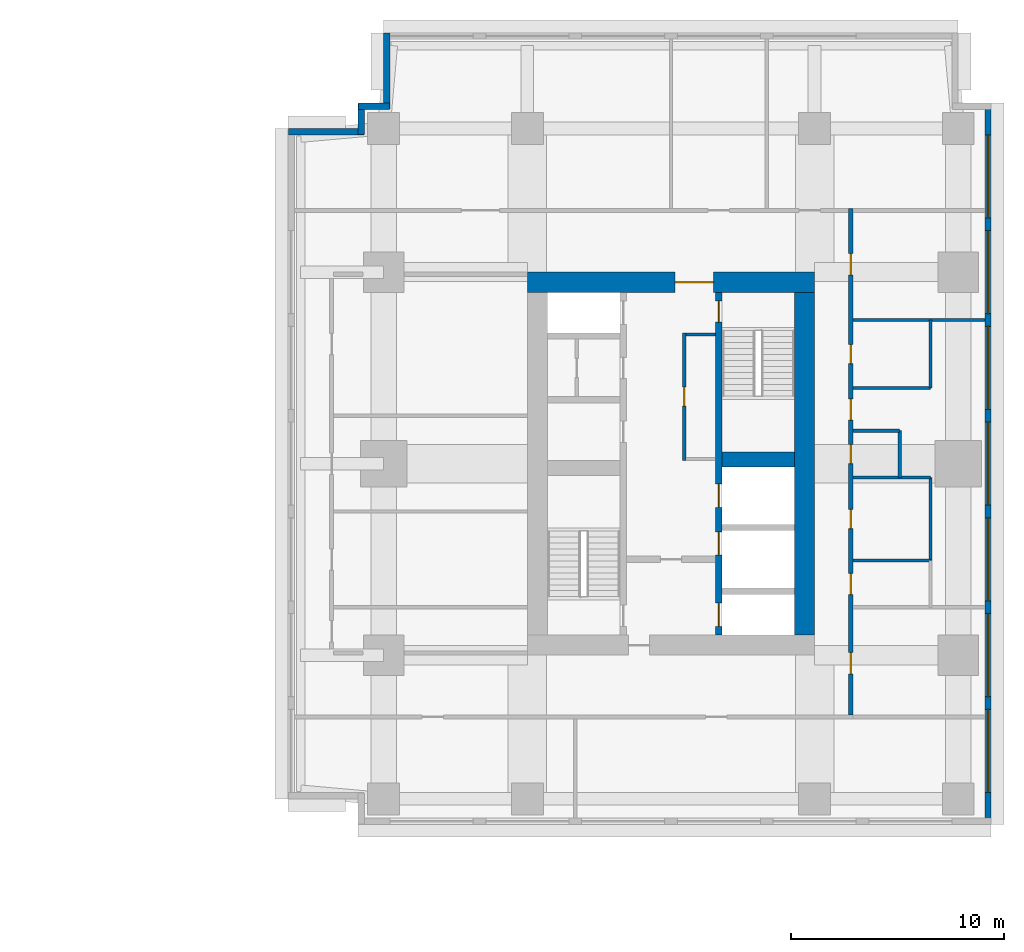
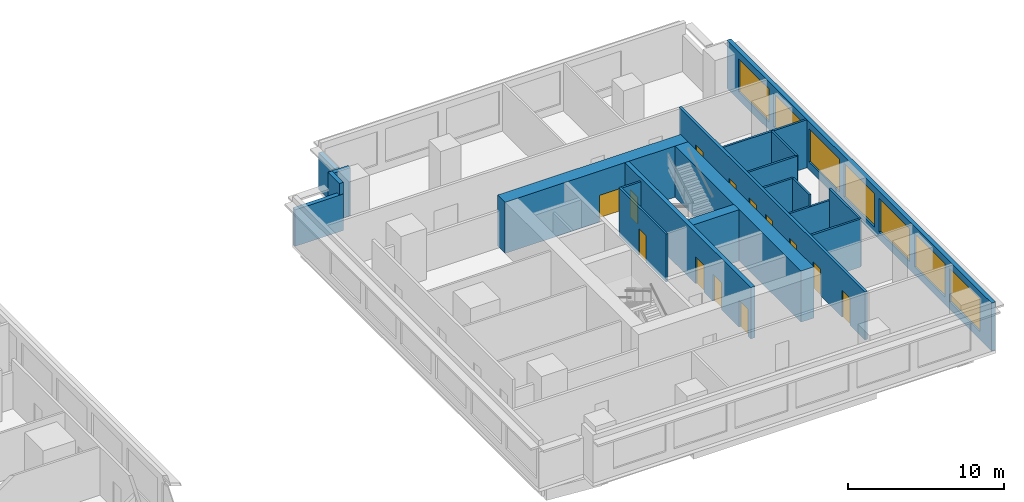
# One storey, part 7 of 10: 20 walls, 13 doors, 7 windows, 20 openings.
"""IFC4 building model written with IfcOpenShell, lengths in metres."""

from ifc_helpers import new_model, si_unit, direction, frame, frame_2d, origin, place, context, subcontext, project, spatial, rectangle, extrude, material, layer, layer_set, type_object, element, fill, save


model = new_model("IFC4")

# Units and contexts
model_context = context("Model", 3, precision=1e-05, world=origin(), true_north=direction((0.0, 1.0)))
body_context = subcontext(model_context, "Body", "Model", "MODEL_VIEW")
ifc_project = project(units=[si_unit("LENGTHUNIT", "METRE"), si_unit("AREAUNIT", "SQUARE_METRE"), si_unit("VOLUMEUNIT", "CUBIC_METRE"), si_unit("PLANEANGLEUNIT", "RADIAN"), si_unit("MASSUNIT", "GRAM", prefix="KILO")], contexts=[model_context])

# Site, building, storey
site_placement = place(None, origin())
site = spatial("IfcSite", under=ifc_project, at=site_placement, CompositionType="ELEMENT")
building_placement = place(site_placement, origin())
building = spatial("IfcBuilding", under=site, at=building_placement, Name="Namib Vertical Campus", CompositionType="ELEMENT")
storey_placement = place(building_placement, frame((0.0, 0.0, 153.0)))
storey = spatial("IfcBuildingStorey", under=building, at=storey_placement, Name="L36", CompositionType="ELEMENT", Elevation=153.0)

# Wall, openings, doors
ifc_material_1 = material(Name="Concrete C60/75", Category="concrete")
ifc_layer_1 = layer(ifc_material_1, 0.300048828125)
ifc_layer_set_1 = layer_set([ifc_layer_1], Name="Concrete C60/75")
wall_type_1 = type_object("IfcWallType", Name="Core inner wall 300", PredefinedType="SHEAR", material=ifc_layer_set_1)
wall_1_placement = place(storey_placement, frame((83.25, 12.199951171875, 0.0), z_axis=(0.0, 0.0, 1.0), x_axis=(0.0, 1.0, 0.0)))
wall_1 = element("IfcWall", 1, at=wall_1_placement, inside=storey, type_object=wall_type_1, Name="Core inner wall B L36 W2", PredefinedType="SHEAR", context=body_context, shape_type="SweptSolid", body=[
    extrude(rectangle(XDim=16.10009765625, YDim=0.300048828125, at=frame_2d((8.050048828125, 0.0))), origin(), (0.0, 0.0, 1.0), 4.0),
])
opening_1_placement = place(wall_1_placement, frame((14.699951171875, 0.0, 0.0)))
opening_1 = element("IfcOpeningElement", 2, at=opening_1_placement, cuts=wall_1, Name="Opening FD1", PredefinedType="OPENING", context=body_context, shape_type="SweptSolid", body=[
    extrude(rectangle(XDim=1.0, YDim=2.10009765625, at=frame_2d((0.5, 1.050048828125))), frame((0.0, 0.159912109375, 0.0), z_axis=(0.0, -1.0, 0.0), x_axis=(1.0, 0.0, 0.0)), (0.0, 0.0, 1.0), 0.320068359375),
])
opening_2_placement = place(wall_1_placement, frame((0.39990234375, 0.0, 0.0)))
opening_2 = element("IfcOpeningElement", 3, at=opening_2_placement, cuts=wall_1, Name="Opening LD1", PredefinedType="OPENING", context=body_context, shape_type="SweptSolid", body=[
    extrude(rectangle(XDim=1.10009765625, YDim=2.10009765625, at=frame_2d((0.550048828125, 1.050048828125))), frame((0.0, 0.159912109375, 0.0), z_axis=(0.0, -1.0, 0.0), x_axis=(1.0, 0.0, 0.0)), (0.0, 0.0, 1.0), 0.320068359375),
])
opening_3_placement = place(wall_1_placement, frame((3.75, 0.0, 0.0)))
opening_3 = element("IfcOpeningElement", 4, at=opening_3_placement, cuts=wall_1, Name="Opening LD1", PredefinedType="OPENING", context=body_context, shape_type="SweptSolid", body=[
    extrude(rectangle(XDim=1.10009765625, YDim=2.10009765625, at=frame_2d((0.550048828125, 1.050048828125))), frame((0.0, 0.159912109375, 0.0), z_axis=(0.0, -1.0, 0.0), x_axis=(1.0, 0.0, 0.0)), (0.0, 0.0, 1.0), 0.320068359375),
])
opening_4_placement = place(wall_1_placement, frame((6.0, 0.0, 0.0)))
opening_4 = element("IfcOpeningElement", 5, at=opening_4_placement, cuts=wall_1, Name="Opening LD1", PredefinedType="OPENING", context=body_context, shape_type="SweptSolid", body=[
    extrude(rectangle(XDim=1.10009765625, YDim=2.10009765625, at=frame_2d((0.550048828125, 1.050048828125))), frame((0.0, 0.159912109375, 0.0), z_axis=(0.0, -1.0, 0.0), x_axis=(1.0, 0.0, 0.0)), (0.0, 0.0, 1.0), 0.320068359375),
])
ifc_material_2 = material(Name="Steel fire door", Category="steel")
door_type_1 = type_object("IfcDoorType", Name="Fire door 1000x2100", OperationType="SINGLE_SWING_RIGHT", PredefinedType="DOOR", material=ifc_material_2)
door_1_placement = place(opening_1_placement, frame((1.0, 0.0, 0.0), z_axis=(0.0, 0.0, 1.0), x_axis=(-1.0, 0.0, 0.0)))
door_1 = element("IfcDoor", 6, at=door_1_placement, inside=storey, type_object=door_type_1, Name="Stair door FD1 B L36 S2", OperationType="SINGLE_SWING_LEFT", OverallHeight=2.10009765625, OverallWidth=1.0, PredefinedType="DOOR", context=body_context, shape_type="SweptSolid", body=[
    extrude(rectangle(XDim=1.0, YDim=2.10009765625, at=frame_2d((0.5, 1.050048828125))), frame((0.0, 0.02490234375, 0.0), z_axis=(0.0, -1.0, 0.0), x_axis=(1.0, 0.0, 0.0)), (0.0, 0.0, 1.0), 0.050048828125),
])
fill(opening_1, door_1)
ifc_material_3 = material(Name="Stainless steel lift door", Category="steel")
door_type_2 = type_object("IfcDoorType", Name="Lift landing door 1100x2100", OperationType="DOUBLE_DOOR_SLIDING", PredefinedType="DOOR", material=ifc_material_3)
door_2_placement = place(opening_2_placement, origin())
door_2 = element("IfcDoor", 7, at=door_2_placement, inside=storey, type_object=door_type_2, Name="Lift landing door LD1 B-FL1 L36", OperationType="DOUBLE_DOOR_SLIDING", OverallHeight=2.10009765625, OverallWidth=1.10009765625, PredefinedType="DOOR", context=body_context, shape_type="SweptSolid", body=[
    extrude(rectangle(XDim=1.10009765625, YDim=2.10009765625, at=frame_2d((0.550048828125, 1.050048828125))), frame((0.0, 0.02490234375, 0.0), z_axis=(0.0, -1.0, 0.0), x_axis=(1.0, 0.0, 0.0)), (0.0, 0.0, 1.0), 0.050048828125),
])
fill(opening_2, door_2)
door_3_placement = place(opening_3_placement, origin())
door_3 = element("IfcDoor", 8, at=door_3_placement, inside=storey, type_object=door_type_2, Name="Lift landing door LD1 B-P4 L36", OperationType="DOUBLE_DOOR_SLIDING", OverallHeight=2.10009765625, OverallWidth=1.10009765625, PredefinedType="DOOR", context=body_context, shape_type="SweptSolid", body=[
    extrude(rectangle(XDim=1.10009765625, YDim=2.10009765625, at=frame_2d((0.550048828125, 1.050048828125))), frame((0.0, 0.02490234375, 0.0), z_axis=(0.0, -1.0, 0.0), x_axis=(1.0, 0.0, 0.0)), (0.0, 0.0, 1.0), 0.050048828125),
])
fill(opening_3, door_3)
door_4_placement = place(opening_4_placement, origin())
door_4 = element("IfcDoor", 9, at=door_4_placement, inside=storey, type_object=door_type_2, Name="Lift landing door LD1 B-P5 L36", OperationType="DOUBLE_DOOR_SLIDING", OverallHeight=2.10009765625, OverallWidth=1.10009765625, PredefinedType="DOOR", context=body_context, shape_type="SweptSolid", body=[
    extrude(rectangle(XDim=1.10009765625, YDim=2.10009765625, at=frame_2d((0.550048828125, 1.050048828125))), frame((0.0, 0.02490234375, 0.0), z_axis=(0.0, -1.0, 0.0), x_axis=(1.0, 0.0, 0.0)), (0.0, 0.0, 1.0), 0.050048828125),
])
fill(opening_4, door_4)

# Walls
ifc_material_4 = material(Name="Concrete C60/75", Category="concrete")
ifc_layer_2 = layer(ifc_material_4, 0.699951171875)
ifc_layer_set_2 = layer_set([ifc_layer_2], Name="Concrete C60/75")
wall_type_2 = type_object("IfcWallType", Name="Core shear wall 700", PredefinedType="SHEAR", material=ifc_layer_set_2)
wall_2_placement = place(storey_placement, frame((83.39990234375, 20.449951171875, 0.0), z_axis=(0.0, 0.0, 1.0), x_axis=(1.0, 0.0, 0.0)))
element("IfcWall", 10, at=wall_2_placement, inside=storey, type_object=wall_type_2, Name="Core shear wall B L36 W7", PredefinedType="SHEAR", context=body_context, shape_type="SweptSolid", body=[
    extrude(rectangle(XDim=3.400146484375, YDim=0.699951171875, at=frame_2d((1.7001953125, 0.0))), origin(), (0.0, 0.0, 1.0), 4.0),
])
ifc_material_5 = material(Name="Concrete C60/75", Category="concrete")
ifc_layer_3 = layer(ifc_material_5, 0.949951171875)
ifc_layer_set_3 = layer_set([ifc_layer_3], Name="Concrete C60/75")
wall_type_3 = type_object("IfcWallType", Name="Core wall 950", PredefinedType="SHEAR", material=ifc_layer_set_3)
wall_3_placement = place(storey_placement, frame((87.27490234375, 12.199951171875, 0.0), z_axis=(0.0, 0.0, 1.0), x_axis=(0.0, 1.0, 0.0)))
element("IfcWall", 11, at=wall_3_placement, inside=storey, type_object=wall_type_3, Name="Core wall B L36 2", PredefinedType="SHEAR", context=body_context, shape_type="SweptSolid", body=[
    extrude(rectangle(XDim=16.10009765625, YDim=0.949951171875, at=frame_2d((8.050048828125, 0.0))), origin(), (0.0, 0.0, 1.0), 4.0),
])

# Wall, opening, door
wall_4_placement = place(storey_placement, frame((87.75, 28.77490234375, 0.0), z_axis=(0.0, 0.0, 1.0), x_axis=(-1.0, 0.0, 0.0)))
wall_4 = element("IfcWall", 12, at=wall_4_placement, inside=storey, type_object=wall_type_3, Name="Core wall B L36 3", PredefinedType="SHEAR", context=body_context, shape_type="SweptSolid", body=[
    extrude(rectangle(XDim=13.5, YDim=0.949951171875, at=frame_2d((6.75, 0.0))), origin(), (0.0, 0.0, 1.0), 4.0),
])
opening_5_placement = place(wall_4_placement, frame((4.75, 0.0, 0.0)))
opening_5 = element("IfcOpeningElement", 13, at=opening_5_placement, cuts=wall_4, Name="Opening FD2", PredefinedType="OPENING", context=body_context, shape_type="SweptSolid", body=[
    extrude(rectangle(XDim=1.800048828125, YDim=2.10009765625, at=frame_2d((0.89990234375, 1.050048828125))), frame((0.0, 0.48486328125, 0.0), z_axis=(0.0, -1.0, 0.0), x_axis=(1.0, 0.0, 0.0)), (0.0, 0.0, 1.0), 0.969970703125),
])
ifc_material_6 = material(Name="Steel fire door", Category="steel")
door_type_3 = type_object("IfcDoorType", Name="Fire door double 1800x2100", OperationType="DOUBLE_DOOR_SINGLE_SWING", PredefinedType="DOOR", material=ifc_material_6)
door_5_placement = place(opening_5_placement, origin())
door_5 = element("IfcDoor", 14, at=door_5_placement, inside=storey, type_object=door_type_3, Name="Lift lobby door FD2 B L36", OperationType="DOUBLE_DOOR_SINGLE_SWING", OverallHeight=2.10009765625, OverallWidth=1.800048828125, PredefinedType="DOOR", context=body_context, shape_type="SweptSolid", body=[
    extrude(rectangle(XDim=1.800048828125, YDim=2.10009765625, at=frame_2d((0.89990234375, 1.050048828125))), frame((0.0, 0.02490234375, 0.0), z_axis=(0.0, -1.0, 0.0), x_axis=(1.0, 0.0, 0.0)), (0.0, 0.0, 1.0), 0.050048828125),
])
fill(opening_5, door_5)

# Wall, openings, doors
ifc_material_7 = material(Name="Concrete masonry", Category="masonry")
ifc_layer_4 = layer(ifc_material_7, 0.199951171875)
ifc_layer_set_4 = layer_set([ifc_layer_4], Name="Corridor wall 200")
wall_type_4 = type_object("IfcWallType", Name="Corridor wall 200", PredefinedType="SOLIDWALL", material=ifc_layer_set_4)
wall_5_placement = place(storey_placement, frame((89.449951171875, 8.449951171875, 0.0), z_axis=(0.0, 0.0, 1.0), x_axis=(0.0, 1.0, 0.0)))
wall_5 = element("IfcWall", 15, at=wall_5_placement, inside=storey, type_object=wall_type_4, Name="Corridor wall B L36 CE", PredefinedType="SOLIDWALL", context=body_context, shape_type="SweptSolid", body=[
    extrude(rectangle(XDim=23.800048828125, YDim=0.199951171875, at=frame_2d((11.89990234375, 0.0))), origin(), (0.0, 0.0, 1.0), 3.75),
])
opening_6_placement = place(wall_5_placement, frame((1.925048828125, 0.0, 0.0)))
opening_6 = element("IfcOpeningElement", 16, at=opening_6_placement, cuts=wall_5, Name="Opening CD1", PredefinedType="OPENING", context=body_context, shape_type="SweptSolid", body=[
    extrude(rectangle(XDim=1.0, YDim=2.10009765625, at=frame_2d((0.5, 1.050048828125))), frame((0.0, 0.10986328125, 0.0), z_axis=(0.0, -1.0, 0.0), x_axis=(1.0, 0.0, 0.0)), (0.0, 0.0, 1.0), 0.219970703125),
])
opening_7_placement = place(wall_5_placement, frame((5.64990234375, 0.0, 0.0)))
opening_7 = element("IfcOpeningElement", 17, at=opening_7_placement, cuts=wall_5, Name="Opening CD1", PredefinedType="OPENING", context=body_context, shape_type="SweptSolid", body=[
    extrude(rectangle(XDim=1.0, YDim=2.10009765625, at=frame_2d((0.5, 1.050048828125))), frame((0.0, 0.10986328125, 0.0), z_axis=(0.0, -1.0, 0.0), x_axis=(1.0, 0.0, 0.0)), (0.0, 0.0, 1.0), 0.219970703125),
])
opening_8_placement = place(wall_5_placement, frame((8.75, 0.0, 0.0)))
opening_8 = element("IfcOpeningElement", 18, at=opening_8_placement, cuts=wall_5, Name="Opening CD3", PredefinedType="OPENING", context=body_context, shape_type="SweptSolid", body=[
    extrude(rectangle(XDim=0.89990234375, YDim=2.10009765625, at=frame_2d((0.449951171875, 1.050048828125))), frame((0.0, 0.10986328125, 0.0), z_axis=(0.0, -1.0, 0.0), x_axis=(1.0, 0.0, 0.0)), (0.0, 0.0, 1.0), 0.219970703125),
])
opening_9_placement = place(wall_5_placement, frame((11.800048828125, 0.0, 0.0)))
opening_9 = element("IfcOpeningElement", 19, at=opening_9_placement, cuts=wall_5, Name="Opening CD3", PredefinedType="OPENING", context=body_context, shape_type="SweptSolid", body=[
    extrude(rectangle(XDim=0.89990234375, YDim=2.10009765625, at=frame_2d((0.449951171875, 1.050048828125))), frame((0.0, 0.10986328125, 0.0), z_axis=(0.0, -1.0, 0.0), x_axis=(1.0, 0.0, 0.0)), (0.0, 0.0, 1.0), 0.219970703125),
])
opening_10_placement = place(wall_5_placement, frame((16.5, 0.0, 0.0)))
opening_10 = element("IfcOpeningElement", 20, at=opening_10_placement, cuts=wall_5, Name="Opening CD3", PredefinedType="OPENING", context=body_context, shape_type="SweptSolid", body=[
    extrude(rectangle(XDim=0.89990234375, YDim=2.10009765625, at=frame_2d((0.449951171875, 1.050048828125))), frame((0.0, 0.10986328125, 0.0), z_axis=(0.0, -1.0, 0.0), x_axis=(1.0, 0.0, 0.0)), (0.0, 0.0, 1.0), 0.219970703125),
])
opening_11_placement = place(wall_5_placement, frame((13.85009765625, 0.0, 0.0)))
opening_11 = element("IfcOpeningElement", 21, at=opening_11_placement, cuts=wall_5, Name="Opening CD1", PredefinedType="OPENING", context=body_context, shape_type="SweptSolid", body=[
    extrude(rectangle(XDim=1.0, YDim=2.10009765625, at=frame_2d((0.5, 1.050048828125))), frame((0.0, 0.10986328125, 0.0), z_axis=(0.0, -1.0, 0.0), x_axis=(1.0, 0.0, 0.0)), (0.0, 0.0, 1.0), 0.219970703125),
])
opening_12_placement = place(wall_5_placement, frame((20.675048828125, 0.0, 0.0)))
opening_12 = element("IfcOpeningElement", 22, at=opening_12_placement, cuts=wall_5, Name="Opening CD1", PredefinedType="OPENING", context=body_context, shape_type="SweptSolid", body=[
    extrude(rectangle(XDim=1.0, YDim=2.10009765625, at=frame_2d((0.5, 1.050048828125))), frame((0.0, 0.10986328125, 0.0), z_axis=(0.0, -1.0, 0.0), x_axis=(1.0, 0.0, 0.0)), (0.0, 0.0, 1.0), 0.219970703125),
])
ifc_material_8 = material(Name="Timber fire door leaf", Category="wood")
door_type_4 = type_object("IfcDoorType", Name="Corridor door 1000x2100 20 min", OperationType="SINGLE_SWING_LEFT", PredefinedType="DOOR", material=ifc_material_8)
door_6_placement = place(opening_6_placement, frame((1.0, 0.0, 0.0), z_axis=(0.0, 0.0, 1.0), x_axis=(-1.0, 0.0, 0.0)))
door_6 = element("IfcDoor", 23, at=door_6_placement, inside=storey, type_object=door_type_4, Name="Door CD1 B36-03", OperationType="SINGLE_SWING_RIGHT", OverallHeight=2.10009765625, OverallWidth=1.0, PredefinedType="DOOR", context=body_context, shape_type="SweptSolid", body=[
    extrude(rectangle(XDim=1.0, YDim=2.10009765625, at=frame_2d((0.5, 1.050048828125))), frame((0.0, 0.02490234375, 0.0), z_axis=(0.0, -1.0, 0.0), x_axis=(1.0, 0.0, 0.0)), (0.0, 0.0, 1.0), 0.050048828125),
])
fill(opening_6, door_6)
door_7_placement = place(opening_7_placement, frame((1.0, 0.0, 0.0), z_axis=(0.0, 0.0, 1.0), x_axis=(-1.0, 0.0, 0.0)))
door_7 = element("IfcDoor", 24, at=door_7_placement, inside=storey, type_object=door_type_4, Name="Door CD1 B36-04", OperationType="SINGLE_SWING_RIGHT", OverallHeight=2.10009765625, OverallWidth=1.0, PredefinedType="DOOR", context=body_context, shape_type="SweptSolid", body=[
    extrude(rectangle(XDim=1.0, YDim=2.10009765625, at=frame_2d((0.5, 1.050048828125))), frame((0.0, 0.02490234375, 0.0), z_axis=(0.0, -1.0, 0.0), x_axis=(1.0, 0.0, 0.0)), (0.0, 0.0, 1.0), 0.050048828125),
])
fill(opening_7, door_7)
door_8_placement = place(opening_11_placement, frame((1.0, 0.0, 0.0), z_axis=(0.0, 0.0, 1.0), x_axis=(-1.0, 0.0, 0.0)))
door_8 = element("IfcDoor", 25, at=door_8_placement, inside=storey, type_object=door_type_4, Name="Door CD1 B36-08", OperationType="SINGLE_SWING_RIGHT", OverallHeight=2.10009765625, OverallWidth=1.0, PredefinedType="DOOR", context=body_context, shape_type="SweptSolid", body=[
    extrude(rectangle(XDim=1.0, YDim=2.10009765625, at=frame_2d((0.5, 1.050048828125))), frame((0.0, 0.02490234375, 0.0), z_axis=(0.0, -1.0, 0.0), x_axis=(1.0, 0.0, 0.0)), (0.0, 0.0, 1.0), 0.050048828125),
])
fill(opening_11, door_8)
door_9_placement = place(opening_12_placement, frame((1.0, 0.0, 0.0), z_axis=(0.0, 0.0, 1.0), x_axis=(-1.0, 0.0, 0.0)))
door_9 = element("IfcDoor", 26, at=door_9_placement, inside=storey, type_object=door_type_4, Name="Door CD1 B36-09", OperationType="SINGLE_SWING_RIGHT", OverallHeight=2.10009765625, OverallWidth=1.0, PredefinedType="DOOR", context=body_context, shape_type="SweptSolid", body=[
    extrude(rectangle(XDim=1.0, YDim=2.10009765625, at=frame_2d((0.5, 1.050048828125))), frame((0.0, 0.02490234375, 0.0), z_axis=(0.0, -1.0, 0.0), x_axis=(1.0, 0.0, 0.0)), (0.0, 0.0, 1.0), 0.050048828125),
])
fill(opening_12, door_9)
ifc_material_9 = material(Name="Timber fire door leaf", Category="wood")
door_type_5 = type_object("IfcDoorType", Name="Corridor toilet door 900x2100 20 min", OperationType="SINGLE_SWING_LEFT", PredefinedType="DOOR", material=ifc_material_9)
door_10_placement = place(opening_8_placement, frame((0.89990234375, 0.0, 0.0), z_axis=(0.0, 0.0, 1.0), x_axis=(-1.0, 0.0, 0.0)))
door_10 = element("IfcDoor", 27, at=door_10_placement, inside=storey, type_object=door_type_5, Name="Door CD3 B36-05", OperationType="SINGLE_SWING_RIGHT", OverallHeight=2.10009765625, OverallWidth=0.89990234375, PredefinedType="DOOR", context=body_context, shape_type="SweptSolid", body=[
    extrude(rectangle(XDim=0.89990234375, YDim=2.10009765625, at=frame_2d((0.449951171875, 1.050048828125))), frame((0.0, 0.02490234375, 0.0), z_axis=(0.0, -1.0, 0.0), x_axis=(1.0, 0.0, 0.0)), (0.0, 0.0, 1.0), 0.050048828125),
])
fill(opening_8, door_10)
door_11_placement = place(opening_9_placement, frame((0.89990234375, 0.0, 0.0), z_axis=(0.0, 0.0, 1.0), x_axis=(-1.0, 0.0, 0.0)))
door_11 = element("IfcDoor", 28, at=door_11_placement, inside=storey, type_object=door_type_5, Name="Door CD3 B36-06", OperationType="SINGLE_SWING_RIGHT", OverallHeight=2.10009765625, OverallWidth=0.89990234375, PredefinedType="DOOR", context=body_context, shape_type="SweptSolid", body=[
    extrude(rectangle(XDim=0.89990234375, YDim=2.10009765625, at=frame_2d((0.449951171875, 1.050048828125))), frame((0.0, 0.02490234375, 0.0), z_axis=(0.0, -1.0, 0.0), x_axis=(1.0, 0.0, 0.0)), (0.0, 0.0, 1.0), 0.050048828125),
])
fill(opening_9, door_11)
door_12_placement = place(opening_10_placement, frame((0.89990234375, 0.0, 0.0), z_axis=(0.0, 0.0, 1.0), x_axis=(-1.0, 0.0, 0.0)))
door_12 = element("IfcDoor", 29, at=door_12_placement, inside=storey, type_object=door_type_5, Name="Door CD3 B36-07", OperationType="SINGLE_SWING_RIGHT", OverallHeight=2.10009765625, OverallWidth=0.89990234375, PredefinedType="DOOR", context=body_context, shape_type="SweptSolid", body=[
    extrude(rectangle(XDim=0.89990234375, YDim=2.10009765625, at=frame_2d((0.449951171875, 1.050048828125))), frame((0.0, 0.02490234375, 0.0), z_axis=(0.0, -1.0, 0.0), x_axis=(1.0, 0.0, 0.0)), (0.0, 0.0, 1.0), 0.050048828125),
])
fill(opening_10, door_12)

# Wall, openings, windows
ifc_material_10 = material(Name="Concrete C40/50", Category="concrete")
ifc_layer_5 = layer(ifc_material_10, 0.300048828125)
ifc_layer_set_5 = layer_set([ifc_layer_5], Name="Concrete C40/50")
wall_type_5 = type_object("IfcWallType", Name="External wall 300 board-marked concrete", PredefinedType="STANDARD", material=ifc_layer_set_5)
wall_6_placement = place(storey_placement, frame((95.89990234375, 3.320068359375, 0.0), z_axis=(0.0, 0.0, 1.0), x_axis=(0.0, 1.0, 0.0)))
wall_6 = element("IfcWall", 30, at=wall_6_placement, inside=storey, type_object=wall_type_5, Name="External wall L36 F04", PredefinedType="STANDARD", context=body_context, shape_type="SweptSolid", body=[
    extrude(rectangle(XDim=33.85986328125, YDim=0.300048828125, at=frame_2d((16.929931640625, 0.0))), origin(), (0.0, 0.0, 1.0), 3.75),
])
opening_13_placement = place(wall_6_placement, frame((1.47998046875, 0.0, 0.60009765625)))
opening_13 = element("IfcOpeningElement", 31, at=opening_13_placement, cuts=wall_6, Name="Opening W2", PredefinedType="OPENING", context=body_context, shape_type="SweptSolid", body=[
    extrude(rectangle(XDim=3.89990234375, YDim=2.60009765625, at=frame_2d((1.949951171875, 1.300048828125))), frame((0.0, 0.159912109375, 0.0), z_axis=(0.0, -1.0, 0.0), x_axis=(1.0, 0.0, 0.0)), (0.0, 0.0, 1.0), 0.320068359375),
])
opening_14_placement = place(wall_6_placement, frame((5.97998046875, 0.0, 0.60009765625)))
opening_14 = element("IfcOpeningElement", 32, at=opening_14_placement, cuts=wall_6, Name="Opening W2", PredefinedType="OPENING", context=body_context, shape_type="SweptSolid", body=[
    extrude(rectangle(XDim=3.89990234375, YDim=2.60009765625, at=frame_2d((1.949951171875, 1.300048828125))), frame((0.0, 0.159912109375, 0.0), z_axis=(0.0, -1.0, 0.0), x_axis=(1.0, 0.0, 0.0)), (0.0, 0.0, 1.0), 0.320068359375),
])
opening_15_placement = place(wall_6_placement, frame((10.47998046875, 0.0, 0.60009765625)))
opening_15 = element("IfcOpeningElement", 33, at=opening_15_placement, cuts=wall_6, Name="Opening W2", PredefinedType="OPENING", context=body_context, shape_type="SweptSolid", body=[
    extrude(rectangle(XDim=3.89990234375, YDim=2.60009765625, at=frame_2d((1.949951171875, 1.300048828125))), frame((0.0, 0.159912109375, 0.0), z_axis=(0.0, -1.0, 0.0), x_axis=(1.0, 0.0, 0.0)), (0.0, 0.0, 1.0), 0.320068359375),
])
opening_16_placement = place(wall_6_placement, frame((14.97998046875, 0.0, 0.60009765625)))
opening_16 = element("IfcOpeningElement", 34, at=opening_16_placement, cuts=wall_6, Name="Opening W2", PredefinedType="OPENING", context=body_context, shape_type="SweptSolid", body=[
    extrude(rectangle(XDim=3.89990234375, YDim=2.60009765625, at=frame_2d((1.949951171875, 1.300048828125))), frame((0.0, 0.159912109375, 0.0), z_axis=(0.0, -1.0, 0.0), x_axis=(1.0, 0.0, 0.0)), (0.0, 0.0, 1.0), 0.320068359375),
])
opening_17_placement = place(wall_6_placement, frame((19.47998046875, 0.0, 0.60009765625)))
opening_17 = element("IfcOpeningElement", 35, at=opening_17_placement, cuts=wall_6, Name="Opening W2", PredefinedType="OPENING", context=body_context, shape_type="SweptSolid", body=[
    extrude(rectangle(XDim=3.89990234375, YDim=2.60009765625, at=frame_2d((1.949951171875, 1.300048828125))), frame((0.0, 0.159912109375, 0.0), z_axis=(0.0, -1.0, 0.0), x_axis=(1.0, 0.0, 0.0)), (0.0, 0.0, 1.0), 0.320068359375),
])
opening_18_placement = place(wall_6_placement, frame((23.97998046875, 0.0, 0.60009765625)))
opening_18 = element("IfcOpeningElement", 36, at=opening_18_placement, cuts=wall_6, Name="Opening W2", PredefinedType="OPENING", context=body_context, shape_type="SweptSolid", body=[
    extrude(rectangle(XDim=3.89990234375, YDim=2.60009765625, at=frame_2d((1.949951171875, 1.300048828125))), frame((0.0, 0.159912109375, 0.0), z_axis=(0.0, -1.0, 0.0), x_axis=(1.0, 0.0, 0.0)), (0.0, 0.0, 1.0), 0.320068359375),
])
opening_19_placement = place(wall_6_placement, frame((28.47998046875, 0.0, 0.60009765625)))
opening_19 = element("IfcOpeningElement", 37, at=opening_19_placement, cuts=wall_6, Name="Opening W2", PredefinedType="OPENING", context=body_context, shape_type="SweptSolid", body=[
    extrude(rectangle(XDim=3.89990234375, YDim=2.60009765625, at=frame_2d((1.949951171875, 1.300048828125))), frame((0.0, 0.159912109375, 0.0), z_axis=(0.0, -1.0, 0.0), x_axis=(1.0, 0.0, 0.0)), (0.0, 0.0, 1.0), 0.320068359375),
])
ifc_material_11 = material(Name="Dark tinted glass in black aluminium frame", Category="aluminium")
window_type = type_object("IfcWindowType", Name="Ribbon window 3900x2600", PartitioningType="SINGLE_PANEL", PredefinedType="WINDOW", material=ifc_material_11)
window_1_placement = place(opening_13_placement, origin())
window_1 = element("IfcWindow", 38, at=window_1_placement, inside=storey, type_object=window_type, Name="Window W2 L36 F04-1", OverallHeight=2.60009765625, OverallWidth=3.89990234375, PartitioningType="SINGLE_PANEL", PredefinedType="WINDOW", context=body_context, shape_type="SweptSolid", body=[
    extrude(rectangle(XDim=3.89990234375, YDim=2.60009765625, at=frame_2d((1.949951171875, 1.300048828125))), frame((0.0, 0.030029296875, 0.0), z_axis=(0.0, -1.0, 0.0), x_axis=(1.0, 0.0, 0.0)), (0.0, 0.0, 1.0), 0.06005859375),
])
fill(opening_13, window_1)
window_2_placement = place(opening_14_placement, origin())
window_2 = element("IfcWindow", 39, at=window_2_placement, inside=storey, type_object=window_type, Name="Window W2 L36 F04-2", OverallHeight=2.60009765625, OverallWidth=3.89990234375, PartitioningType="SINGLE_PANEL", PredefinedType="WINDOW", context=body_context, shape_type="SweptSolid", body=[
    extrude(rectangle(XDim=3.89990234375, YDim=2.60009765625, at=frame_2d((1.949951171875, 1.300048828125))), frame((0.0, 0.030029296875, 0.0), z_axis=(0.0, -1.0, 0.0), x_axis=(1.0, 0.0, 0.0)), (0.0, 0.0, 1.0), 0.06005859375),
])
fill(opening_14, window_2)
window_3_placement = place(opening_15_placement, origin())
window_3 = element("IfcWindow", 40, at=window_3_placement, inside=storey, type_object=window_type, Name="Window W2 L36 F04-3", OverallHeight=2.60009765625, OverallWidth=3.89990234375, PartitioningType="SINGLE_PANEL", PredefinedType="WINDOW", context=body_context, shape_type="SweptSolid", body=[
    extrude(rectangle(XDim=3.89990234375, YDim=2.60009765625, at=frame_2d((1.949951171875, 1.300048828125))), frame((0.0, 0.030029296875, 0.0), z_axis=(0.0, -1.0, 0.0), x_axis=(1.0, 0.0, 0.0)), (0.0, 0.0, 1.0), 0.06005859375),
])
fill(opening_15, window_3)
window_4_placement = place(opening_16_placement, origin())
window_4 = element("IfcWindow", 41, at=window_4_placement, inside=storey, type_object=window_type, Name="Window W2 L36 F04-4", OverallHeight=2.60009765625, OverallWidth=3.89990234375, PartitioningType="SINGLE_PANEL", PredefinedType="WINDOW", context=body_context, shape_type="SweptSolid", body=[
    extrude(rectangle(XDim=3.89990234375, YDim=2.60009765625, at=frame_2d((1.949951171875, 1.300048828125))), frame((0.0, 0.030029296875, 0.0), z_axis=(0.0, -1.0, 0.0), x_axis=(1.0, 0.0, 0.0)), (0.0, 0.0, 1.0), 0.06005859375),
])
fill(opening_16, window_4)
window_5_placement = place(opening_17_placement, origin())
window_5 = element("IfcWindow", 42, at=window_5_placement, inside=storey, type_object=window_type, Name="Window W2 L36 F04-5", OverallHeight=2.60009765625, OverallWidth=3.89990234375, PartitioningType="SINGLE_PANEL", PredefinedType="WINDOW", context=body_context, shape_type="SweptSolid", body=[
    extrude(rectangle(XDim=3.89990234375, YDim=2.60009765625, at=frame_2d((1.949951171875, 1.300048828125))), frame((0.0, 0.030029296875, 0.0), z_axis=(0.0, -1.0, 0.0), x_axis=(1.0, 0.0, 0.0)), (0.0, 0.0, 1.0), 0.06005859375),
])
fill(opening_17, window_5)
window_6_placement = place(opening_18_placement, origin())
window_6 = element("IfcWindow", 43, at=window_6_placement, inside=storey, type_object=window_type, Name="Window W2 L36 F04-6", OverallHeight=2.60009765625, OverallWidth=3.89990234375, PartitioningType="SINGLE_PANEL", PredefinedType="WINDOW", context=body_context, shape_type="SweptSolid", body=[
    extrude(rectangle(XDim=3.89990234375, YDim=2.60009765625, at=frame_2d((1.949951171875, 1.300048828125))), frame((0.0, 0.030029296875, 0.0), z_axis=(0.0, -1.0, 0.0), x_axis=(1.0, 0.0, 0.0)), (0.0, 0.0, 1.0), 0.06005859375),
])
fill(opening_18, window_6)
window_7_placement = place(opening_19_placement, origin())
window_7 = element("IfcWindow", 44, at=window_7_placement, inside=storey, type_object=window_type, Name="Window W2 L36 F04-7", OverallHeight=2.60009765625, OverallWidth=3.89990234375, PartitioningType="SINGLE_PANEL", PredefinedType="WINDOW", context=body_context, shape_type="SweptSolid", body=[
    extrude(rectangle(XDim=3.89990234375, YDim=2.60009765625, at=frame_2d((1.949951171875, 1.300048828125))), frame((0.0, 0.030029296875, 0.0), z_axis=(0.0, -1.0, 0.0), x_axis=(1.0, 0.0, 0.0)), (0.0, 0.0, 1.0), 0.06005859375),
])
fill(opening_19, window_7)

# Walls
wall_7_placement = place(storey_placement, frame((67.64990234375, 40.47998046875, 0.0), z_axis=(0.0, 0.0, 1.0), x_axis=(0.0, -1.0, 0.0)))
element("IfcWall", 45, at=wall_7_placement, inside=storey, type_object=wall_type_5, Name="External wall L36 F08", PredefinedType="STANDARD", context=body_context, shape_type="SweptSolid", body=[
    extrude(rectangle(XDim=3.56005859375, YDim=0.300048828125, at=frame_2d((1.780029296875, 0.0))), origin(), (0.0, 0.0, 1.0), 2.85009765625),
])
for number, where, z_axis, x_axis, name in (
    (46, (67.780029296875, 37.050048828125, 0.0), (0.0, 0.0, 1.0), (-1.0, 0.0, 0.0), "External wall L36 F09"),
    (47, (66.449951171875, 37.179931640625, 0.0), (0.0, 0.0, 1.0), (0.0, -1.0, 0.0), "External wall L36 F10"),
):
    element("IfcWall", number, at=place(storey_placement, frame(where, z_axis=z_axis, x_axis=x_axis)), inside=storey, type_object=wall_type_5, Name=name, PredefinedType="STANDARD", context=body_context, shape_type="SweptSolid", body=[
        extrude(rectangle(XDim=1.4599609375, YDim=0.300048828125, at=frame_2d((0.72998046875, 0.0))), origin(), (0.0, 0.0, 1.0), 3.75),
    ])
wall_8_placement = place(storey_placement, frame((66.580078125, 35.85009765625, 0.0), z_axis=(0.0, 0.0, 1.0), x_axis=(-1.0, 0.0, 0.0)))
element("IfcWall", 48, at=wall_8_placement, inside=storey, type_object=wall_type_5, Name="External wall L36 F11", PredefinedType="STANDARD", context=body_context, shape_type="SweptSolid", body=[
    extrude(rectangle(XDim=3.56005859375, YDim=0.300048828125, at=frame_2d((1.780029296875, 0.0))), origin(), (0.0, 0.0, 1.0), 2.85009765625),
])

# Wall, opening, door
ifc_material_12 = material(Name="Gypsum board on steel studs", Category="steel")
ifc_layer_6 = layer(ifc_material_12, 0.14990234375)
ifc_layer_set_6 = layer_set([ifc_layer_6], Name="Gypsum board on steel studs")
wall_type_6 = type_object("IfcWallType", Name="Partition 150", PredefinedType="PARTITIONING", material=ifc_layer_set_6)
wall_9_placement = place(storey_placement, frame((81.625, 20.39990234375, 0.0), z_axis=(0.0, 0.0, 1.0), x_axis=(0.0, 1.0, 0.0)))
wall_9 = element("IfcWall", 49, at=wall_9_placement, inside=storey, type_object=wall_type_6, Name="Partition B L36 Store front", PredefinedType="PARTITIONING", context=body_context, shape_type="SweptSolid", body=[
    extrude(rectangle(XDim=6.0, YDim=0.14990234375, at=frame_2d((3.0, 0.0))), origin(), (0.0, 0.0, 1.0), 3.75),
])
opening_20_placement = place(wall_9_placement, frame((2.550048828125, 0.0, 0.0)))
opening_20 = element("IfcOpeningElement", 50, at=opening_20_placement, cuts=wall_9, Name="Opening D3", PredefinedType="OPENING", context=body_context, shape_type="SweptSolid", body=[
    extrude(rectangle(XDim=0.89990234375, YDim=2.10009765625, at=frame_2d((0.449951171875, 1.050048828125))), frame((0.0, 0.0849609375, 0.0), z_axis=(0.0, -1.0, 0.0), x_axis=(1.0, 0.0, 0.0)), (0.0, 0.0, 1.0), 0.169921875),
])
ifc_material_13 = material(Name="Timber door leaf", Category="wood")
door_type_6 = type_object("IfcDoorType", Name="Toilet door 900x2100", OperationType="SINGLE_SWING_LEFT", PredefinedType="DOOR", material=ifc_material_13)
door_13_placement = place(opening_20_placement, frame((0.89990234375, 0.0, 0.0), z_axis=(0.0, 0.0, 1.0), x_axis=(-1.0, 0.0, 0.0)))
door_13 = element("IfcDoor", 51, at=door_13_placement, inside=storey, type_object=door_type_6, Name="Door D3 Store B L36", OperationType="SINGLE_SWING_RIGHT", OverallHeight=2.10009765625, OverallWidth=0.89990234375, PredefinedType="DOOR", context=body_context, shape_type="SweptSolid", body=[
    extrude(rectangle(XDim=0.89990234375, YDim=2.10009765625, at=frame_2d((0.449951171875, 1.050048828125))), frame((0.0, 0.02490234375, 0.0), z_axis=(0.0, -1.0, 0.0), x_axis=(1.0, 0.0, 0.0)), (0.0, 0.0, 1.0), 0.050048828125),
])
fill(opening_20, door_13)

# Walls
wall_10_placement = place(storey_placement, frame((81.699951171875, 26.324951171875, 0.0), z_axis=(0.0, 0.0, 1.0), x_axis=(1.0, 0.0, 0.0)))
element("IfcWall", 52, at=wall_10_placement, inside=storey, type_object=wall_type_6, Name="Partition B L36 Store end 2", PredefinedType="PARTITIONING", context=body_context, shape_type="SweptSolid", body=[
    extrude(rectangle(XDim=1.400146484375, YDim=0.14990234375, at=frame_2d((0.7001953125, 0.0))), origin(), (0.0, 0.0, 1.0), 3.75),
])
wall_11_placement = place(storey_placement, frame((89.550048828125, 27.0, 0.0), z_axis=(0.0, 0.0, 1.0), x_axis=(1.0, 0.0, 0.0)))
element("IfcWall", 53, at=wall_11_placement, inside=storey, type_object=wall_type_6, Name="Partition B L36 PE2", PredefinedType="PARTITIONING", context=body_context, shape_type="SweptSolid", body=[
    extrude(rectangle(XDim=6.199951171875, YDim=0.14990234375, at=frame_2d((3.10009765625, 0.0))), origin(), (0.0, 0.0, 1.0), 3.75),
])
wall_12_placement = place(storey_placement, frame((89.550048828125, 15.699951171875, 0.0), z_axis=(0.0, 0.0, 1.0), x_axis=(1.0, 0.0, 0.0)))
element("IfcWall", 54, at=wall_12_placement, inside=storey, type_object=wall_type_6, Name="Partition B L36 WR1", PredefinedType="PARTITIONING", context=body_context, shape_type="SweptSolid", body=[
    extrude(rectangle(XDim=3.64990234375, YDim=0.14990234375, at=frame_2d((1.824951171875, 0.0))), origin(), (0.0, 0.0, 1.0), 3.75),
])
wall_13_placement = place(storey_placement, frame((89.550048828125, 19.60009765625, 0.0), z_axis=(0.0, 0.0, 1.0), x_axis=(1.0, 0.0, 0.0)))
element("IfcWall", 55, at=wall_13_placement, inside=storey, type_object=wall_type_6, Name="Partition B L36 WR2", PredefinedType="PARTITIONING", context=body_context, shape_type="SweptSolid", body=[
    extrude(rectangle(XDim=3.64990234375, YDim=0.14990234375, at=frame_2d((1.824951171875, 0.0))), origin(), (0.0, 0.0, 1.0), 2.85009765625),
])
wall_14_placement = place(storey_placement, frame((89.550048828125, 21.800048828125, 0.0), z_axis=(0.0, 0.0, 1.0), x_axis=(1.0, 0.0, 0.0)))
element("IfcWall", 56, at=wall_14_placement, inside=storey, type_object=wall_type_6, Name="Partition B L36 WR3", PredefinedType="PARTITIONING", context=body_context, shape_type="SweptSolid", body=[
    extrude(rectangle(XDim=2.199951171875, YDim=0.14990234375, at=frame_2d((1.10009765625, 0.0))), origin(), (0.0, 0.0, 1.0), 3.75),
])
wall_15_placement = place(storey_placement, frame((89.550048828125, 23.800048828125, 0.0), z_axis=(0.0, 0.0, 1.0), x_axis=(1.0, 0.0, 0.0)))
element("IfcWall", 57, at=wall_15_placement, inside=storey, type_object=wall_type_6, Name="Partition B L36 WR4", PredefinedType="PARTITIONING", context=body_context, shape_type="SweptSolid", body=[
    extrude(rectangle(XDim=3.64990234375, YDim=0.14990234375, at=frame_2d((1.824951171875, 0.0))), origin(), (0.0, 0.0, 1.0), 3.75),
])
wall_16_placement = place(storey_placement, frame((93.199951171875, 15.699951171875, 0.0), z_axis=(0.0, 0.0, 1.0), x_axis=(0.0, 1.0, 0.0)))
element("IfcWall", 58, at=wall_16_placement, inside=storey, type_object=wall_type_6, Name="Partition B L36 WB2", PredefinedType="PARTITIONING", context=body_context, shape_type="SweptSolid", body=[
    extrude(rectangle(XDim=3.900146484375, YDim=0.14990234375, at=frame_2d((1.9501953125, 0.0))), origin(), (0.0, 0.0, 1.0), 3.75),
])
wall_17_placement = place(storey_placement, frame((91.75, 19.60009765625, 0.0), z_axis=(0.0, 0.0, 1.0), x_axis=(0.0, 1.0, 0.0)))
element("IfcWall", 59, at=wall_17_placement, inside=storey, type_object=wall_type_6, Name="Partition B L36 WB3", PredefinedType="PARTITIONING", context=body_context, shape_type="SweptSolid", body=[
    extrude(rectangle(XDim=2.199951171875, YDim=0.14990234375, at=frame_2d((1.10009765625, 0.0))), origin(), (0.0, 0.0, 1.0), 3.75),
])
wall_18_placement = place(storey_placement, frame((93.199951171875, 23.800048828125, 0.0), z_axis=(0.0, 0.0, 1.0), x_axis=(0.0, 1.0, 0.0)))
element("IfcWall", 60, at=wall_18_placement, inside=storey, type_object=wall_type_6, Name="Partition B L36 WB4", PredefinedType="PARTITIONING", context=body_context, shape_type="SweptSolid", body=[
    extrude(rectangle(XDim=3.199951171875, YDim=0.14990234375, at=frame_2d((1.60009765625, 0.0))), origin(), (0.0, 0.0, 1.0), 3.75),
])

save(model, "model.ifc")
